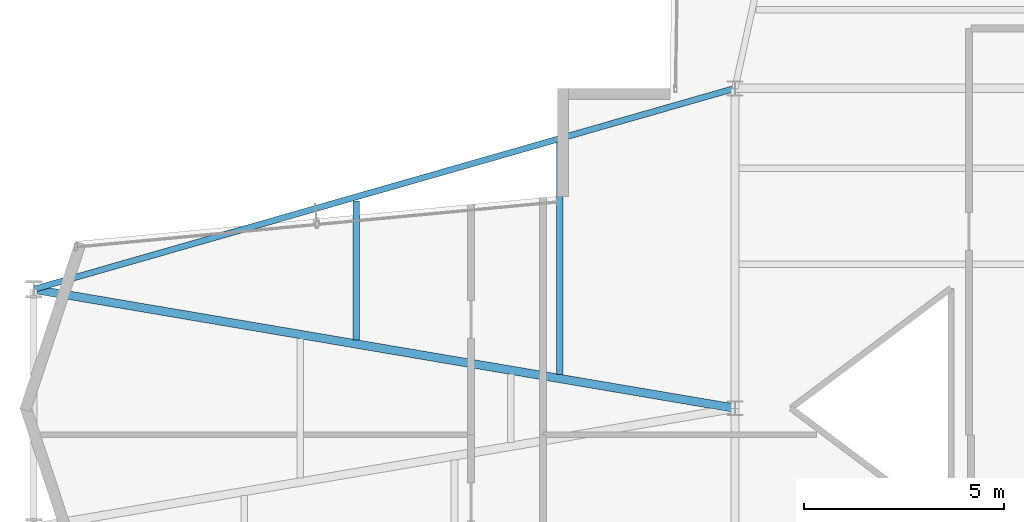
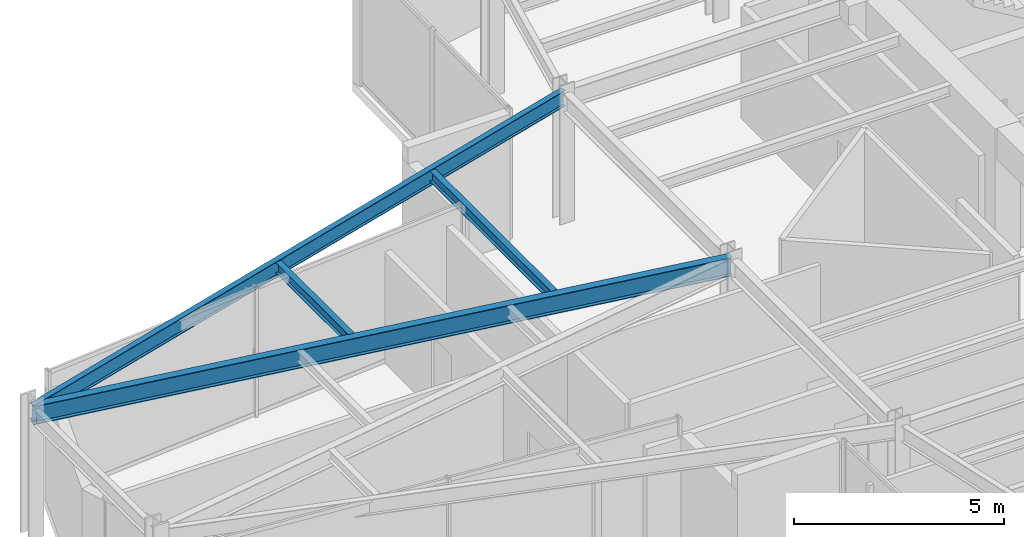
# One storey, part 9 of 22: 4 beams.
"""IFC4 building model written with IfcOpenShell, lengths in metres."""

from ifc_helpers import new_model, si_unit, direction, frame, origin, origin_2d, place, context, subcontext, project, spatial, i_section, extrude, material, material_profile, profile_set, type_object, element, save


model = new_model("IFC4")

# Units and contexts
model_context = context("Model", 3, precision=1e-05, world=origin(), true_north=direction((0.0, 1.0)))
body_context = subcontext(model_context, "Body", "Model", "MODEL_VIEW")
ifc_project = project(units=[si_unit("LENGTHUNIT", "METRE"), si_unit("AREAUNIT", "SQUARE_METRE"), si_unit("VOLUMEUNIT", "CUBIC_METRE"), si_unit("PLANEANGLEUNIT", "RADIAN"), si_unit("MASSUNIT", "GRAM", prefix="KILO")], contexts=[model_context])

# Site, building, storey
site_placement = place(None, origin())
site = spatial("IfcSite", under=ifc_project, at=site_placement, CompositionType="ELEMENT")
building_placement = place(site_placement, origin())
building = spatial("IfcBuilding", under=site, at=building_placement, Name="Veymaron Broadcast Tower", CompositionType="ELEMENT")
storey_placement = place(building_placement, frame((0.0, 0.0, 216.14990234375)))
storey = spatial("IfcBuildingStorey", under=building, at=storey_placement, Name="L50", CompositionType="ELEMENT", Elevation=216.14990234375)

# Beams
ifc_material = material(Name="Structural steel ASTM A992 Gr 50", Category="steel")
ifc_material_profile_1 = material_profile(ifc_material, i_section(OverallWidth=0.2099609375, OverallDepth=0.537109375, WebThickness=0.010986328125, FlangeThickness=0.017333984375, at=origin_2d()), Name="W530X101")
ifc_profile_set_1 = profile_set([ifc_material_profile_1], Name="Structural steel ASTM A992 Gr 50")
beam_type_1 = type_object("IfcBeamType", Name="BM-FG3", PredefinedType="BEAM", material=ifc_profile_set_1)
beam_1_placement = place(storey_placement, frame((13.6650390625, 26.97509765625, 3.521484375), z_axis=(0.985910023747, -0.167276492897, 0.0), x_axis=(0.167276492897, 0.985910023747, 0.0)))
element("IfcBeam", 1, at=beam_1_placement, inside=storey, type_object=beam_type_1, Name="L50 primary structural floor girder", PredefinedType="BEAM", context=body_context, shape_type="SweptSolid", body=[
    extrude(i_section(OverallWidth=0.2099609375, OverallDepth=0.537109375, WebThickness=0.010986328125, FlangeThickness=0.017333984375, at=origin_2d()), origin(), (0.0, 0.0, 1.0), 17.785400390625),
])
ifc_material_profile_2 = material_profile(ifc_material, i_section(OverallWidth=0.1650390625, OverallDepth=0.31005859375, WebThickness=0.005859375, FlangeThickness=0.009765625, at=origin_2d()), Name="W310X39")
ifc_profile_set_2 = profile_set([ifc_material_profile_2], Name="Structural steel ASTM A992 Gr 50")
beam_type_2 = type_object("IfcBeamType", Name="BM-JS3", PredefinedType="JOIST", material=ifc_profile_set_2)
beam_2_placement = place(storey_placement, frame((21.731201171875, 25.70654296875, 3.635009765625), z_axis=(0.0, 1.0, 0.0), x_axis=(-1.0, 0.0, 0.0)))
element("IfcBeam", 2, at=beam_2_placement, inside=storey, type_object=beam_type_2, Name="L50 Arm-A secondary joist 1N", PredefinedType="JOIST", context=body_context, shape_type="SweptSolid", body=[
    extrude(i_section(OverallWidth=0.1650390625, OverallDepth=0.31005859375, WebThickness=0.005859375, FlangeThickness=0.009765625, at=origin_2d()), origin(), (0.0, 0.0, 1.0), 3.47998046875),
])
beam_3_placement = place(storey_placement, frame((26.81640625, 24.84375, 3.635009765625), z_axis=(0.0, 1.0, 0.0), x_axis=(-1.0, 0.0, 0.0)))
element("IfcBeam", 3, at=beam_3_placement, inside=storey, type_object=beam_type_2, Name="L50 Arm-A secondary joist 2N", PredefinedType="JOIST", context=body_context, shape_type="SweptSolid", body=[
    extrude(i_section(OverallWidth=0.1650390625, OverallDepth=0.31005859375, WebThickness=0.005859375, FlangeThickness=0.009765625, at=origin_2d()), origin(), (0.0, 0.0, 1.0), 5.800048828125),
])
ifc_material_profile_3 = material_profile(ifc_material, i_section(OverallWidth=0.154052734375, OverallDepth=0.458984375, WebThickness=0.009033203125, FlangeThickness=0.015380859375, at=origin_2d()), Name="W460X68")
ifc_profile_set_3 = profile_set([ifc_material_profile_3], Name="Structural steel ASTM A992 Gr 50")
beam_type_3 = type_object("IfcBeamType", Name="BM-SP2", PredefinedType="SPANDREL", material=ifc_profile_set_3)
beam_4_placement = place(storey_placement, frame((13.6650390625, 26.97509765625, 3.560546875), z_axis=(0.961307479344, 0.27547764003, 0.0), x_axis=(-0.27547764003, 0.961307479344, 0.0)))
element("IfcBeam", 4, at=beam_4_placement, inside=storey, type_object=beam_type_3, Name="L50 primary structural floor girder", PredefinedType="SPANDREL", context=body_context, shape_type="SweptSolid", body=[
    extrude(i_section(OverallWidth=0.154052734375, OverallDepth=0.458984375, WebThickness=0.009033203125, FlangeThickness=0.015380859375, at=origin_2d()), origin(), (0.0, 0.0, 1.0), 18.24072265625),
])

save(model, "model.ifc")
